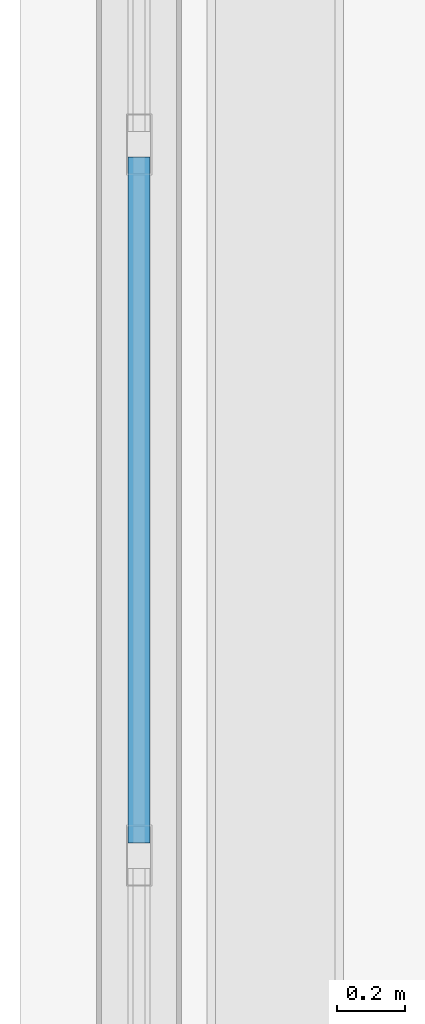
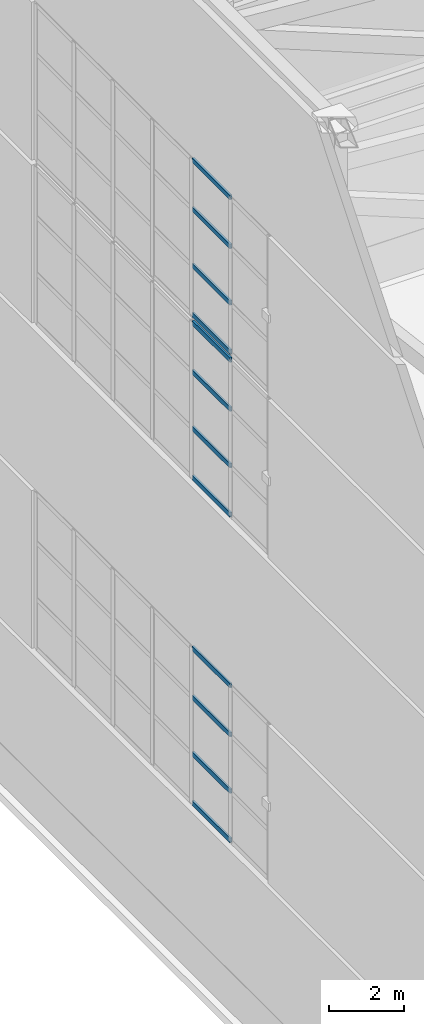
# One storey, part 7 of 47: 12 members, 3 elements without a shape of their own.
"""IFC4 building model written with IfcOpenShell, lengths in metres."""

from ifc_helpers import new_model, si_unit, direction, frame, origin, origin_2d, place, context, subcontext, project, spatial, hollow_rectangle, extrude, material, layer, layer_set, material_profile, profile_set, type_object, element, aggregate, save


model = new_model("IFC4")

# Units and contexts
model_context = context("Model", 3, precision=1e-05, world=origin(), true_north=direction((0.0, 1.0)))
body_context = subcontext(model_context, "Body", "Model", "MODEL_VIEW")
ifc_project = project(units=[si_unit("LENGTHUNIT", "METRE"), si_unit("AREAUNIT", "SQUARE_METRE"), si_unit("VOLUMEUNIT", "CUBIC_METRE"), si_unit("PLANEANGLEUNIT", "RADIAN"), si_unit("MASSUNIT", "GRAM", prefix="KILO")], contexts=[model_context])

# Site, building, storey
site_placement = place(None, origin())
site = spatial("IfcSite", under=ifc_project, at=site_placement, CompositionType="ELEMENT")
building_placement = place(site_placement, origin())
building = spatial("IfcBuilding", under=site, at=building_placement, Name="Qiaolan Cultural Towers", CompositionType="ELEMENT")
storey_placement = place(building_placement, frame((0.0, 0.0, 280.199951171875)))
storey = spatial("IfcBuildingStorey", under=building, at=storey_placement, Name="RF", CompositionType="ELEMENT", Elevation=280.199951171875)

# Curtain wall, members
ifc_material_1 = material(Name="Unitized Anodized Aluminium Curtain Wall System", Category="aluminium")
ifc_layer = layer(ifc_material_1, 0.199951171875)
ifc_layer_set = layer_set([ifc_layer], Name="Unitized Anodized Aluminium Curtain Wall System")
curtain_wall_type = type_object("IfcCurtainWallType", Name="CWS-06", PredefinedType="NOTDEFINED", material=ifc_layer_set)
curtain_wall_1_placement = place(storey_placement, origin())
curtain_wall_1 = element("IfcCurtainWall", 1, at=curtain_wall_1_placement, inside=storey, type_object=curtain_wall_type, Name="T1 Crown Tier 2 Fritted Screen Curtain Wall 7", PredefinedType="NOTDEFINED")
ifc_material_2 = material(Name="Extruded Aluminium 6063-T6", Category="aluminium")
ifc_material_profile = material_profile(ifc_material_2, hollow_rectangle(XDim=0.06494140625, YDim=0.14990234375, WallThickness=0.00390625, at=origin_2d()), Name="CWT-150x65x4")
ifc_profile_set = profile_set([ifc_material_profile], Name="Extruded Aluminium 6063-T6")
member_type = type_object("IfcMemberType", Name="CWS-06-TRN", PredefinedType="USERDEFINED", material=ifc_profile_set)
member_1_placement = place(storey_placement, frame((14.949951171875, 31.87255859375, 5.4326171875), z_axis=(0.0, -1.0, 0.0), x_axis=(1.0, 0.0, 0.0)))
member_1 = element("IfcMember", 2, at=member_1_placement, type_object=member_type, Name="CW-6 transom 5.1", ObjectType="TRANSOM", PredefinedType="USERDEFINED", context=body_context, shape_type="SweptSolid", body=[
    extrude(hollow_rectangle(XDim=0.06494140625, YDim=0.14990234375, WallThickness=0.00390625, at=origin_2d()), origin(), (0.0, 0.0, 1.0), 2.01513671875),
])
member_2_placement = place(storey_placement, frame((14.949951171875, 31.87255859375, 7.030029296875), z_axis=(0.0, -1.0, 0.0), x_axis=(1.0, 0.0, 0.0)))
member_2 = element("IfcMember", 3, at=member_2_placement, type_object=member_type, Name="CW-6 transom 5.2", ObjectType="TRANSOM", PredefinedType="USERDEFINED", context=body_context, shape_type="SweptSolid", body=[
    extrude(hollow_rectangle(XDim=0.06494140625, YDim=0.14990234375, WallThickness=0.00390625, at=origin_2d()), origin(), (0.0, 0.0, 1.0), 2.01513671875),
])
member_3_placement = place(storey_placement, frame((14.949951171875, 31.87255859375, 8.8701171875), z_axis=(0.0, -1.0, 0.0), x_axis=(1.0, 0.0, 0.0)))
member_3 = element("IfcMember", 4, at=member_3_placement, type_object=member_type, Name="CW-6 transom 5.3", ObjectType="TRANSOM", PredefinedType="USERDEFINED", context=body_context, shape_type="SweptSolid", body=[
    extrude(hollow_rectangle(XDim=0.06494140625, YDim=0.14990234375, WallThickness=0.00390625, at=origin_2d()), origin(), (0.0, 0.0, 1.0), 2.01513671875),
])
member_4_placement = place(storey_placement, frame((14.949951171875, 31.87255859375, 10.467529296875), z_axis=(0.0, -1.0, 0.0), x_axis=(1.0, 0.0, 0.0)))
member_4 = element("IfcMember", 5, at=member_4_placement, type_object=member_type, Name="CW-6 transom 5.4", ObjectType="TRANSOM", PredefinedType="USERDEFINED", context=body_context, shape_type="SweptSolid", body=[
    extrude(hollow_rectangle(XDim=0.06494140625, YDim=0.14990234375, WallThickness=0.00390625, at=origin_2d()), origin(), (0.0, 0.0, 1.0), 2.01513671875),
])
aggregate(curtain_wall_1, [member_1, member_2, member_3, member_4])

curtain_wall_2_placement = place(storey_placement, origin())
curtain_wall_2 = element("IfcCurtainWall", 6, at=curtain_wall_2_placement, inside=storey, type_object=curtain_wall_type, Name="T1 Crown Tier 4 Fritted Screen Curtain Wall 7", PredefinedType="NOTDEFINED")
member_5_placement = place(storey_placement, frame((14.949951171875, 31.87255859375, 16.032470703125), z_axis=(0.0, -1.0, 0.0), x_axis=(1.0, 0.0, 0.0)))
member_5 = element("IfcMember", 7, at=member_5_placement, type_object=member_type, Name="CW-6 transom 5.1", ObjectType="TRANSOM", PredefinedType="USERDEFINED", context=body_context, shape_type="SweptSolid", body=[
    extrude(hollow_rectangle(XDim=0.06494140625, YDim=0.14990234375, WallThickness=0.00390625, at=origin_2d()), origin(), (0.0, 0.0, 1.0), 2.01513671875),
])
member_6_placement = place(storey_placement, frame((14.949951171875, 31.87255859375, 17.630126953125), z_axis=(0.0, -1.0, 0.0), x_axis=(1.0, 0.0, 0.0)))
member_6 = element("IfcMember", 8, at=member_6_placement, type_object=member_type, Name="CW-6 transom 5.2", ObjectType="TRANSOM", PredefinedType="USERDEFINED", context=body_context, shape_type="SweptSolid", body=[
    extrude(hollow_rectangle(XDim=0.06494140625, YDim=0.14990234375, WallThickness=0.00390625, at=origin_2d()), origin(), (0.0, 0.0, 1.0), 2.01513671875),
])
member_7_placement = place(storey_placement, frame((14.949951171875, 31.87255859375, 19.469970703125), z_axis=(0.0, -1.0, 0.0), x_axis=(1.0, 0.0, 0.0)))
member_7 = element("IfcMember", 9, at=member_7_placement, type_object=member_type, Name="CW-6 transom 5.3", ObjectType="TRANSOM", PredefinedType="USERDEFINED", context=body_context, shape_type="SweptSolid", body=[
    extrude(hollow_rectangle(XDim=0.06494140625, YDim=0.14990234375, WallThickness=0.00390625, at=origin_2d()), origin(), (0.0, 0.0, 1.0), 2.01513671875),
])
member_8_placement = place(storey_placement, frame((14.949951171875, 31.87255859375, 21.067626953125), z_axis=(0.0, -1.0, 0.0), x_axis=(1.0, 0.0, 0.0)))
member_8 = element("IfcMember", 10, at=member_8_placement, type_object=member_type, Name="CW-6 transom 5.4", ObjectType="TRANSOM", PredefinedType="USERDEFINED", context=body_context, shape_type="SweptSolid", body=[
    extrude(hollow_rectangle(XDim=0.06494140625, YDim=0.14990234375, WallThickness=0.00390625, at=origin_2d()), origin(), (0.0, 0.0, 1.0), 2.01513671875),
])
aggregate(curtain_wall_2, [member_5, member_6, member_7, member_8])

curtain_wall_3_placement = place(storey_placement, origin())
curtain_wall_3 = element("IfcCurtainWall", 11, at=curtain_wall_3_placement, inside=storey, type_object=curtain_wall_type, Name="T1 Crown Tier 5 Fritted Screen Curtain Wall 7", PredefinedType="NOTDEFINED")
member_9_placement = place(storey_placement, frame((14.949951171875, 31.87255859375, 21.33251953125), z_axis=(0.0, -1.0, 0.0), x_axis=(1.0, 0.0, 0.0)))
member_9 = element("IfcMember", 12, at=member_9_placement, type_object=member_type, Name="CW-6 transom 5.1", ObjectType="TRANSOM", PredefinedType="USERDEFINED", context=body_context, shape_type="SweptSolid", body=[
    extrude(hollow_rectangle(XDim=0.06494140625, YDim=0.14990234375, WallThickness=0.00390625, at=origin_2d()), origin(), (0.0, 0.0, 1.0), 2.01513671875),
])
member_10_placement = place(storey_placement, frame((14.949951171875, 31.87255859375, 22.929931640625), z_axis=(0.0, -1.0, 0.0), x_axis=(1.0, 0.0, 0.0)))
member_10 = element("IfcMember", 13, at=member_10_placement, type_object=member_type, Name="CW-6 transom 5.2", ObjectType="TRANSOM", PredefinedType="USERDEFINED", context=body_context, shape_type="SweptSolid", body=[
    extrude(hollow_rectangle(XDim=0.06494140625, YDim=0.14990234375, WallThickness=0.00390625, at=origin_2d()), origin(), (0.0, 0.0, 1.0), 2.01513671875),
])
member_11_placement = place(storey_placement, frame((14.949951171875, 31.87255859375, 24.77001953125), z_axis=(0.0, -1.0, 0.0), x_axis=(1.0, 0.0, 0.0)))
member_11 = element("IfcMember", 14, at=member_11_placement, type_object=member_type, Name="CW-6 transom 5.3", ObjectType="TRANSOM", PredefinedType="USERDEFINED", context=body_context, shape_type="SweptSolid", body=[
    extrude(hollow_rectangle(XDim=0.06494140625, YDim=0.14990234375, WallThickness=0.00390625, at=origin_2d()), origin(), (0.0, 0.0, 1.0), 2.01513671875),
])
member_12_placement = place(storey_placement, frame((14.949951171875, 31.87255859375, 26.367431640625), z_axis=(0.0, -1.0, 0.0), x_axis=(1.0, 0.0, 0.0)))
member_12 = element("IfcMember", 15, at=member_12_placement, type_object=member_type, Name="CW-6 transom 5.4", ObjectType="TRANSOM", PredefinedType="USERDEFINED", context=body_context, shape_type="SweptSolid", body=[
    extrude(hollow_rectangle(XDim=0.06494140625, YDim=0.14990234375, WallThickness=0.00390625, at=origin_2d()), origin(), (0.0, 0.0, 1.0), 2.01513671875),
])
aggregate(curtain_wall_3, [member_9, member_10, member_11, member_12])

save(model, "model.ifc")
